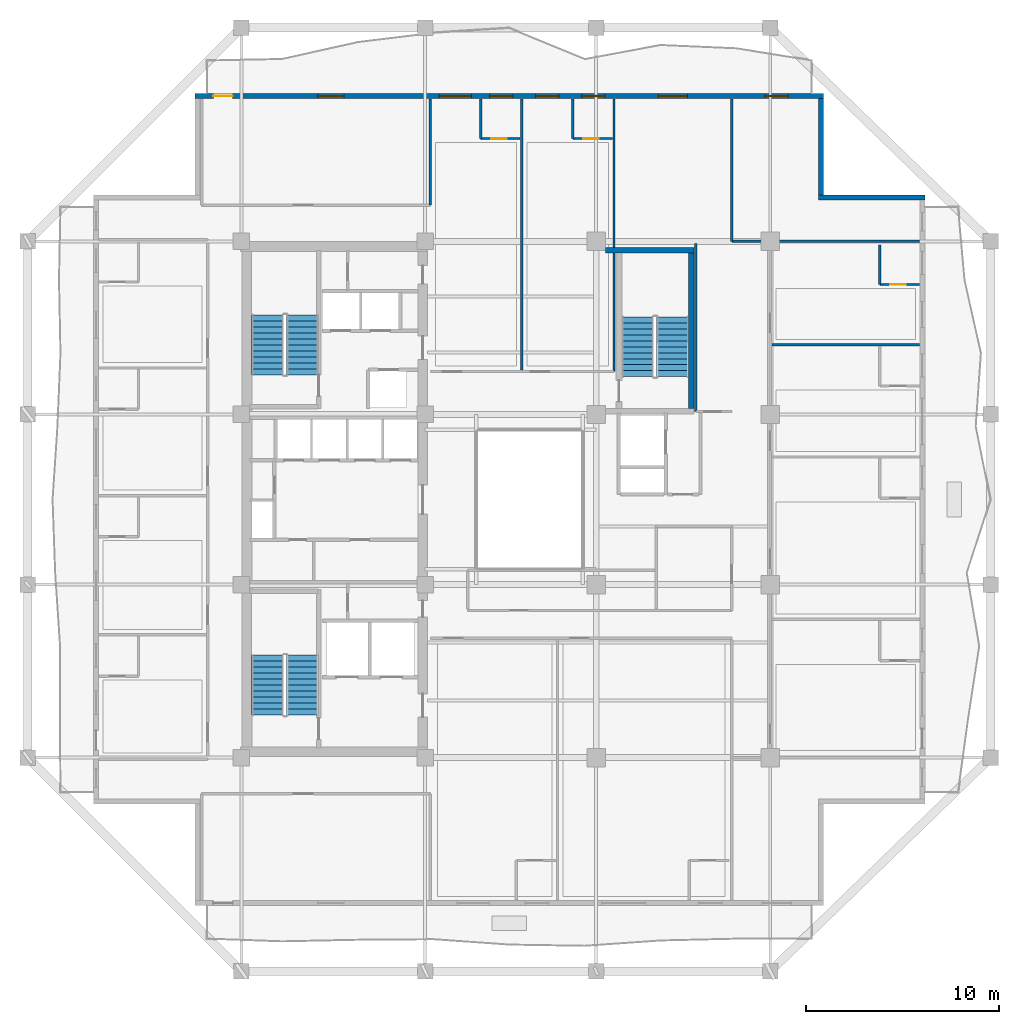
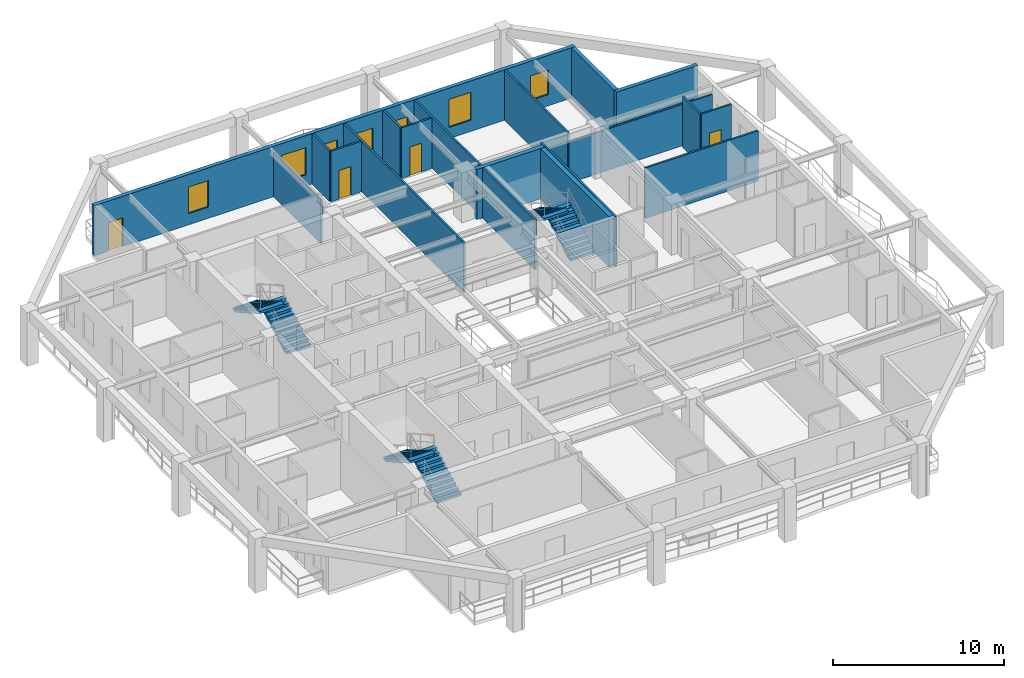
# One storey, part 7 of 13: 18 walls, 7 windows, 6 stair flights, 4 doors, 11 openings, 3 elements without a shape of their own.
"""IFC4 building model written with IfcOpenShell, lengths in metres."""

import ifcopenshell
import ifcopenshell.guid

model = None  # the IFC model being written
_history = None  # IfcOwnerHistory: only IFC2X3 demands one
_inside = {}  # id of a spatial element -> (the spatial element, [elements in it])
_under = {}  # id of a project, library or spatial element -> (it, [spatial elements below it])
_declared = {}  # id of a project -> (the project, [libraries it declares])
_typed = {}  # id of a type object -> (the type object, [elements of that type])
_made_of = {}  # id of a material, layer set ... -> (it, [elements and type objects made of it])


def new_model(schema):
    """Start an empty IFC model of exactly this schema.

    Asked for "IFC4X3", IfcOpenShell would pick the latest addendum, in which some entities
    have other attributes; the version numbers below select the first issue.
    IFC2X3 requires an IfcOwnerHistory on every rooted entity: one is made here for all.
    """
    global model, _history
    if schema == "IFC4X3":
        model = ifcopenshell.file(schema_version=(4, 3, 0, 0))
    else:
        model = ifcopenshell.file(schema=schema)
    _inside.clear()
    _under.clear()
    _declared.clear()
    _typed.clear()
    _made_of.clear()
    _history = None
    if model.schema == "IFC2X3":
        org = make("IfcOrganization", Name="unknown")
        user = make(
            "IfcPersonAndOrganization",
            ThePerson=make("IfcPerson", FamilyName="unknown"),
            TheOrganization=org,
        )
        app = make(
            "IfcApplication",
            ApplicationDeveloper=org,
            Version="unknown",
            ApplicationFullName="unknown",
            ApplicationIdentifier="unknown",
        )
        _history = make(
            "IfcOwnerHistory",
            OwningUser=user,
            OwningApplication=app,
            ChangeAction="ADDED",
            CreationDate=0,
        )
    return model


def make(cls, **values):
    """One entity of the class cls with the attributes given. An attribute that is None is left unset."""
    return model.create_entity(
        cls, **{name: value for name, value in values.items() if value is not None}
    )


def rooted(cls, **values):
    """An entity with a GlobalId (a new one), such as an element, a storey or a relation."""
    return make(cls, GlobalId=ifcopenshell.guid.new(), OwnerHistory=_history, **values)


def si_unit(unit_type, name, prefix=None):
    """IfcSIUnit, for example si_unit("LENGTHUNIT", "METRE", prefix="MILLI")."""
    return make("IfcSIUnit", UnitType=unit_type, Prefix=prefix, Name=name)


def assignment(units):
    """IfcUnitAssignment: the units of a project."""
    return None if units is None else make("IfcUnitAssignment", Units=units)


def point(xyz):
    """IfcCartesianPoint."""
    return None if xyz is None else make("IfcCartesianPoint", Coordinates=xyz)


def direction(xyz):
    """IfcDirection."""
    return None if xyz is None else make("IfcDirection", DirectionRatios=xyz)


def frame(location, z_axis=None, x_axis=None):
    """IfcAxis2Placement3D, a coordinate frame: its origin and axes. An axis left out is left unset."""
    return make(
        "IfcAxis2Placement3D",
        Location=point(location),
        Axis=direction(z_axis),
        RefDirection=direction(x_axis),
    )


def frame_2d(location, x_axis=None):
    """IfcAxis2Placement2D, a coordinate frame in the plane: its origin and x axis."""
    return make(
        "IfcAxis2Placement2D", Location=point(location), RefDirection=direction(x_axis)
    )


def origin():
    """The frame at (0, 0, 0) with its axes left unset."""
    return frame((0.0, 0.0, 0.0))


def place(relative_to, where):
    """IfcLocalPlacement: puts the frame where relative to a parent placement (None: the world)."""
    return make(
        "IfcLocalPlacement", PlacementRelTo=relative_to, RelativePlacement=where
    )


def context(
    kind, dimensions, precision=None, world=None, true_north=None, identifier=None
):
    """IfcGeometricRepresentationContext, for example the 3D "Model" context."""
    return make(
        "IfcGeometricRepresentationContext",
        ContextIdentifier=identifier,
        ContextType=kind,
        CoordinateSpaceDimension=dimensions,
        Precision=precision,
        WorldCoordinateSystem=world,
        TrueNorth=true_north,
    )


def subcontext(parent, identifier, kind, view, scale=None):
    """IfcGeometricRepresentationSubContext, for example "Body" below "Model"."""
    return make(
        "IfcGeometricRepresentationSubContext",
        ContextIdentifier=identifier,
        ContextType=kind,
        ParentContext=parent,
        TargetScale=scale,
        TargetView=view,
    )


def project(units=None, contexts=None):
    """IfcProject with its units and contexts."""
    return rooted(
        "IfcProject",
        Name="project",
        RepresentationContexts=contexts,
        UnitsInContext=assignment(units),
    )


def spatial(cls, under=None, at=None, **own):
    """A site, building, storey or space (cls), placed at a placement, below another one or the project."""
    s = rooted(cls, ObjectPlacement=at, **own)
    if under is not None:
        _under.setdefault(under.id(), (under, []))[1].append(s)
    return s


def polyline(points):
    """IfcPolyline through the points."""
    return make("IfcPolyline", Points=[point(p) for p in points])


def profile(cls, at=None, kind="AREA", **sizes):
    """A parametric profile (cls). Its sizes go by their IFC names, for example OverallWidth=200.0."""
    return make(cls, ProfileType=kind, Position=at, **sizes)


def rectangle(**sizes):
    """IfcRectangleProfileDef."""
    return profile("IfcRectangleProfileDef", **sizes)


def outline(outer, holes=None, kind="AREA"):
    """IfcArbitraryClosedProfileDef: a profile drawn as a closed curve; with holes, ...WithVoids."""
    if holes is None:
        return make("IfcArbitraryClosedProfileDef", ProfileType=kind, OuterCurve=outer)
    return make(
        "IfcArbitraryProfileDefWithVoids",
        ProfileType=kind,
        OuterCurve=outer,
        InnerCurves=holes,
    )


def extrude(swept, where, along, depth):
    """IfcExtrudedAreaSolid: the profile swept, set in the frame where, extruded along a direction by depth."""
    return make(
        "IfcExtrudedAreaSolid",
        SweptArea=swept,
        Position=where,
        ExtrudedDirection=direction(along),
        Depth=depth,
    )


def shape(context_of_items, identifier, shape_type, items):
    """IfcShapeRepresentation: the items that make up one representation, for example the "Body"."""
    return make(
        "IfcShapeRepresentation",
        ContextOfItems=context_of_items,
        RepresentationIdentifier=identifier,
        RepresentationType=shape_type,
        Items=items,
    )


def material(Name=None, Category=None):
    """IfcMaterial."""
    return make("IfcMaterial", Name=Name, Category=Category)


def layer(
    of_material, thickness, ventilated=None, Name=None, Category=None, Priority=None
):
    """IfcMaterialLayer: one layer of a wall or slab, of a material (None: an air gap)."""
    return make(
        "IfcMaterialLayer",
        Material=of_material,
        LayerThickness=thickness,
        IsVentilated=ventilated,
        Name=Name,
        Category=Category,
        Priority=Priority,
    )


def layer_set(layers, Name=None):
    """IfcMaterialLayerSet."""
    return make("IfcMaterialLayerSet", MaterialLayers=layers, LayerSetName=Name)


def made_of(thing, what):
    """Note that an element or type object is made of a material, layer set ...; save() writes the relation."""
    if what is not None:
        _made_of.setdefault(what.id(), (what, []))[1].append(thing)
    return thing


def type_object(cls, material=None, **own):
    """A type object (cls), such as IfcWallType, which elements share."""
    return made_of(rooted(cls, **own), material)


def element(
    cls,
    number,
    at=None,
    inside=None,
    cuts=None,
    type_object=None,
    material=None,
    context=None,
    identifier="Body",
    shape_type=None,
    held_by="IfcProductDefinitionShape",
    body=None,
    shapes=None,
    **own,
):
    """One element of the class cls, such as IfcWall. Its Tag is "e" and its number.

    at: its placement. inside: the storey or other place that contains it. cuts: it is an
    opening in that element (IfcRelVoidsElement). A single representation is given by context,
    identifier, shape_type and body (its items); several are given by shapes. held_by: the class
    of the entity that holds the representations. save() writes the other relations.
    """
    e = rooted(cls, Tag="e%d" % number, ObjectPlacement=at, **own)
    if body is not None:
        shapes = [shape(context, identifier, shape_type, body)]
    if shapes is not None:
        e.Representation = make(held_by, Representations=shapes)
    if inside is not None:
        _inside.setdefault(inside.id(), (inside, []))[1].append(e)
    if cuts is not None:
        rooted(
            "IfcRelVoidsElement", RelatingBuildingElement=cuts, RelatedOpeningElement=e
        )
    if type_object is not None:
        _typed.setdefault(type_object.id(), (type_object, []))[1].append(e)
    return made_of(e, material)


def fill(opening, filler):
    """IfcRelFillsElement: the door or window that sits in an opening."""
    return rooted(
        "IfcRelFillsElement",
        RelatingOpeningElement=opening,
        RelatedBuildingElement=filler,
    )


def aggregate(whole, parts):
    """IfcRelAggregates: a whole, such as a stair, and the parts it consists of."""
    return rooted("IfcRelAggregates", RelatingObject=whole, RelatedObjects=parts)


def save(model, path):
    """Write the relations noted so far, then the file.

    IfcRelAggregates (storeys below a building ...), IfcRelContainedInSpatialStructure (elements
    in a storey), IfcRelDefinesByType, IfcRelAssociatesMaterial and IfcRelDeclares: one each for
    every whole, place, type object, material and project.
    """
    for whole, parts in _under.values():
        aggregate(whole, parts)
    for where, things in _inside.values():
        rooted(
            "IfcRelContainedInSpatialStructure",
            RelatedElements=things,
            RelatingStructure=where,
        )
    for kind, things in _typed.values():
        rooted("IfcRelDefinesByType", RelatedObjects=things, RelatingType=kind)
    for what, things in _made_of.values():
        rooted("IfcRelAssociatesMaterial", RelatedObjects=things, RelatingMaterial=what)
    for by, libraries in _declared.values():
        rooted("IfcRelDeclares", RelatingContext=by, RelatedDefinitions=libraries)
    model.write(path)


model = new_model("IFC4")

# Units and contexts
model_context = context("Model", 3, precision=1e-05, world=origin(), true_north=direction((0.0, 1.0)))
body_context = subcontext(model_context, "Body", "Model", "MODEL_VIEW")
ifc_project = project(units=[si_unit("LENGTHUNIT", "METRE"), si_unit("AREAUNIT", "SQUARE_METRE"), si_unit("VOLUMEUNIT", "CUBIC_METRE"), si_unit("PLANEANGLEUNIT", "RADIAN"), si_unit("MASSUNIT", "GRAM", prefix="KILO")], contexts=[model_context])

# Site, building, storey
site_placement = place(None, origin())
site = spatial("IfcSite", under=ifc_project, at=site_placement, CompositionType="ELEMENT")
building_placement = place(site_placement, origin())
building = spatial("IfcBuilding", under=site, at=building_placement, Name="Kundavana Baori Tower", CompositionType="ELEMENT")
storey_placement = place(building_placement, frame((0.0, 0.0, 169.449951171875)))
storey = spatial("IfcBuildingStorey", under=building, at=storey_placement, Name="L41", CompositionType="ELEMENT", Elevation=169.449951171875)

# Walls
ifc_material_1 = material(Name="Kiln-Fired Terracotta Brick-Slip Masonry on Concrete C40/50", Category="masonry")
ifc_layer_1 = layer(ifc_material_1, 0.260009765625, Name="WL-EXT-BRK-260")
ifc_layer_set_1 = layer_set([ifc_layer_1], Name="Kiln-Fired Terracotta Brick-Slip Masonry on Concrete C40/50")
wall_type_1 = type_object("IfcWallType", Name="WL-EXT-BRK-260", PredefinedType="SOLIDWALL", material=ifc_layer_set_1)
wall_1_placement = place(storey_placement, frame((50.800048828125, 44.219970703125, 0.0), z_axis=(0.0, 0.0, 1.0), x_axis=(-1.0, 0.0, 0.0)))
element("IfcWall", 1, at=wall_1_placement, inside=storey, type_object=wall_type_1, Name="L41 Exterior Insulated Facade Wall 05", PredefinedType="SOLIDWALL", context=body_context, shape_type="SweptSolid", body=[
    extrude(rectangle(XDim=5.510009765625, YDim=0.260009765625, at=frame_2d((2.7548828125, 0.0))), origin(), (0.0, 0.0, 1.0), 3.60009765625),
])
wall_2_placement = place(storey_placement, frame((45.419921875, 44.35009765625, 0.0), z_axis=(0.0, 0.0, 1.0), x_axis=(0.0, 1.0, 0.0)))
element("IfcWall", 2, at=wall_2_placement, inside=storey, type_object=wall_type_1, Name="L41 Exterior Insulated Facade Wall 06", PredefinedType="SOLIDWALL", context=body_context, shape_type="SweptSolid", body=[
    extrude(rectangle(XDim=4.989990234375, YDim=0.260009765625, at=frame_2d((2.4951171875, 0.0))), origin(), (0.0, 0.0, 1.0), 3.60009765625),
])

# Wall, openings, door, windows
wall_3_placement = place(storey_placement, frame((45.550048828125, 49.469970703125, 0.0), z_axis=(0.0, 0.0, 1.0), x_axis=(-1.0, 0.0, 0.0)))
wall_3 = element("IfcWall", 3, at=wall_3_placement, inside=storey, type_object=wall_type_1, Name="L41 Exterior Insulated Facade Wall 07", PredefinedType="SOLIDWALL", context=body_context, shape_type="SweptSolid", body=[
    extrude(rectangle(XDim=32.5, YDim=0.260009765625, at=frame_2d((16.25, 0.0))), origin(), (0.0, 0.0, 1.0), 3.60009765625),
])
opening_1_placement = place(wall_3_placement, frame((30.550048828125, 0.0, 0.0)))
opening_1 = element("IfcOpeningElement", 4, at=opening_1_placement, cuts=wall_3, Name="Opening BD-1", PredefinedType="OPENING", context=body_context, shape_type="SweptSolid", body=[
    extrude(rectangle(XDim=1.0, YDim=2.050048828125, at=frame_2d((0.5, 1.02490234375))), frame((0.0, 0.14013671875, 0.0), z_axis=(0.0, -1.0, 0.0), x_axis=(1.0, 0.0, 0.0)), (0.0, 0.0, 1.0), 0.280029296875),
])
opening_2_placement = place(wall_3_placement, frame((24.794921875, 0.0, 0.800048828125)))
opening_2 = element("IfcOpeningElement", 5, at=opening_2_placement, cuts=wall_3, Name="Opening W-07", PredefinedType="OPENING", context=body_context, shape_type="SweptSolid", body=[
    extrude(rectangle(XDim=1.35009765625, YDim=1.89990234375, at=frame_2d((0.675048828125, 0.949951171875))), frame((0.0, 0.14013671875, 0.0), z_axis=(0.0, -1.0, 0.0), x_axis=(1.0, 0.0, 0.0)), (0.0, 0.0, 1.0), 0.280029296875),
])
opening_3_placement = place(wall_3_placement, frame((18.205078125, 0.0, 0.800048828125)))
opening_3 = element("IfcOpeningElement", 6, at=opening_3_placement, cuts=wall_3, Name="Opening W-08", PredefinedType="OPENING", context=body_context, shape_type="SweptSolid", body=[
    extrude(rectangle(XDim=1.64990234375, YDim=1.949951171875, at=frame_2d((0.824951171875, 0.97509765625))), frame((0.0, 0.14013671875, 0.0), z_axis=(0.0, -1.0, 0.0), x_axis=(1.0, 0.0, 0.0)), (0.0, 0.0, 1.0), 0.280029296875),
])
opening_4_placement = place(wall_3_placement, frame((16.06494140625, 0.0, 0.800048828125)))
opening_4 = element("IfcOpeningElement", 7, at=opening_4_placement, cuts=wall_3, Name="Opening W-03", PredefinedType="OPENING", context=body_context, shape_type="SweptSolid", body=[
    extrude(rectangle(XDim=1.199951171875, YDim=1.75, at=frame_2d((0.60009765625, 0.875))), frame((0.0, 0.14013671875, 0.0), z_axis=(0.0, -1.0, 0.0), x_axis=(1.0, 0.0, 0.0)), (0.0, 0.0, 1.0), 0.280029296875),
])
opening_5_placement = place(wall_3_placement, frame((13.679931640625, 0.0, 0.800048828125)))
opening_5 = element("IfcOpeningElement", 8, at=opening_5_placement, cuts=wall_3, Name="Opening W-03", PredefinedType="OPENING", context=body_context, shape_type="SweptSolid", body=[
    extrude(rectangle(XDim=1.199951171875, YDim=1.75, at=frame_2d((0.60009765625, 0.875))), frame((0.0, 0.14013671875, 0.0), z_axis=(0.0, -1.0, 0.0), x_axis=(1.0, 0.0, 0.0)), (0.0, 0.0, 1.0), 0.280029296875),
])
opening_6_placement = place(wall_3_placement, frame((11.294921875, 0.0, 0.800048828125)))
opening_6 = element("IfcOpeningElement", 9, at=opening_6_placement, cuts=wall_3, Name="Opening W-03", PredefinedType="OPENING", context=body_context, shape_type="SweptSolid", body=[
    extrude(rectangle(XDim=1.199951171875, YDim=1.75, at=frame_2d((0.60009765625, 0.875))), frame((0.0, 0.14013671875, 0.0), z_axis=(0.0, -1.0, 0.0), x_axis=(1.0, 0.0, 0.0)), (0.0, 0.0, 1.0), 0.280029296875),
])
opening_7_placement = place(wall_3_placement, frame((7.030029296875, 0.0, 0.800048828125)))
opening_7 = element("IfcOpeningElement", 10, at=opening_7_placement, cuts=wall_3, Name="Opening W-02", PredefinedType="OPENING", context=body_context, shape_type="SweptSolid", body=[
    extrude(rectangle(XDim=1.5, YDim=2.0, at=frame_2d((0.75, 1.0))), frame((0.0, 0.14013671875, 0.0), z_axis=(0.0, -1.0, 0.0), x_axis=(1.0, 0.0, 0.0)), (0.0, 0.0, 1.0), 0.280029296875),
])
opening_8_placement = place(wall_3_placement, frame((1.820068359375, 0.0, 0.800048828125)))
opening_8 = element("IfcOpeningElement", 11, at=opening_8_placement, cuts=wall_3, Name="Opening W-03", PredefinedType="OPENING", context=body_context, shape_type="SweptSolid", body=[
    extrude(rectangle(XDim=1.199951171875, YDim=1.75, at=frame_2d((0.60009765625, 0.875))), frame((0.0, 0.14013671875, 0.0), z_axis=(0.0, -1.0, 0.0), x_axis=(1.0, 0.0, 0.0)), (0.0, 0.0, 1.0), 0.280029296875),
])
ifc_material_2 = material(Name="Architectural Patinated Bronze Metalwork")
door_type_1 = type_object("IfcDoorType", Name="DR-EXT-LOG-1000", OperationType="NOTDEFINED", PredefinedType="DOOR", material=ifc_material_2)
door_1_placement = place(opening_1_placement, frame((1.0, 0.0, 0.0), z_axis=(0.0, 0.0, 1.0), x_axis=(-1.0, 0.0, 0.0)))
door_1 = element("IfcDoor", 12, at=door_1_placement, inside=storey, type_object=door_type_1, Name="L41 Loggia Balcony Access Door N", OperationType="SINGLE_SWING_LEFT", OverallHeight=2.050048828125, OverallWidth=1.0, PredefinedType="DOOR", context=body_context, shape_type="SweptSolid", body=[
    extrude(rectangle(XDim=1.0, YDim=2.050048828125, at=frame_2d((0.5, 1.02490234375))), frame((0.0, 0.02490234375, 0.0), z_axis=(0.0, -1.0, 0.0), x_axis=(1.0, 0.0, 0.0)), (0.0, 0.0, 1.0), 0.050048828125),
])
fill(opening_1, door_1)
ifc_material_3 = material(Name="Double-Glazed Solar-Control Low-E Insulated Glass", Category="glass")
window_type_1 = type_object("IfcWindowType", Name="WIN-LOG-1200x1750", PartitioningType="SINGLE_PANEL", PredefinedType="WINDOW", material=ifc_material_3)
window_1_placement = place(opening_4_placement, origin())
window_1 = element("IfcWindow", 13, at=window_1_placement, inside=storey, type_object=window_type_1, Name="L41 Recessed Loggia Window N-3", OverallHeight=1.75, OverallWidth=1.199951171875, PartitioningType="SINGLE_PANEL", PredefinedType="WINDOW", context=body_context, shape_type="SweptSolid", body=[
    extrude(rectangle(XDim=1.199951171875, YDim=1.75, at=frame_2d((0.60009765625, 0.875))), frame((0.0, 0.030029296875, 0.0), z_axis=(0.0, -1.0, 0.0), x_axis=(1.0, 0.0, 0.0)), (0.0, 0.0, 1.0), 0.06005859375),
])
fill(opening_4, window_1)
window_2_placement = place(opening_5_placement, origin())
window_2 = element("IfcWindow", 14, at=window_2_placement, inside=storey, type_object=window_type_1, Name="L41 Recessed Loggia Window N-4", OverallHeight=1.75, OverallWidth=1.199951171875, PartitioningType="SINGLE_PANEL", PredefinedType="WINDOW", context=body_context, shape_type="SweptSolid", body=[
    extrude(rectangle(XDim=1.199951171875, YDim=1.75, at=frame_2d((0.60009765625, 0.875))), frame((0.0, 0.030029296875, 0.0), z_axis=(0.0, -1.0, 0.0), x_axis=(1.0, 0.0, 0.0)), (0.0, 0.0, 1.0), 0.06005859375),
])
fill(opening_5, window_2)
window_3_placement = place(opening_6_placement, origin())
window_3 = element("IfcWindow", 15, at=window_3_placement, inside=storey, type_object=window_type_1, Name="L41 Recessed Loggia Window N-5", OverallHeight=1.75, OverallWidth=1.199951171875, PartitioningType="SINGLE_PANEL", PredefinedType="WINDOW", context=body_context, shape_type="SweptSolid", body=[
    extrude(rectangle(XDim=1.199951171875, YDim=1.75, at=frame_2d((0.60009765625, 0.875))), frame((0.0, 0.030029296875, 0.0), z_axis=(0.0, -1.0, 0.0), x_axis=(1.0, 0.0, 0.0)), (0.0, 0.0, 1.0), 0.06005859375),
])
fill(opening_6, window_3)
window_4_placement = place(opening_8_placement, origin())
window_4 = element("IfcWindow", 16, at=window_4_placement, inside=storey, type_object=window_type_1, Name="L41 Recessed Loggia Window N-7", OverallHeight=1.75, OverallWidth=1.199951171875, PartitioningType="SINGLE_PANEL", PredefinedType="WINDOW", context=body_context, shape_type="SweptSolid", body=[
    extrude(rectangle(XDim=1.199951171875, YDim=1.75, at=frame_2d((0.60009765625, 0.875))), frame((0.0, 0.030029296875, 0.0), z_axis=(0.0, -1.0, 0.0), x_axis=(1.0, 0.0, 0.0)), (0.0, 0.0, 1.0), 0.06005859375),
])
fill(opening_8, window_4)
ifc_material_4 = material(Name="Double-Glazed Solar-Control Low-E Insulated Glass", Category="glass")
window_type_2 = type_object("IfcWindowType", Name="WIN-LOG-1350x1900", PartitioningType="SINGLE_PANEL", PredefinedType="WINDOW", material=ifc_material_4)
window_5_placement = place(opening_2_placement, origin())
window_5 = element("IfcWindow", 17, at=window_5_placement, inside=storey, type_object=window_type_2, Name="L41 Recessed Loggia Window N-1", OverallHeight=1.89990234375, OverallWidth=1.35009765625, PartitioningType="SINGLE_PANEL", PredefinedType="WINDOW", context=body_context, shape_type="SweptSolid", body=[
    extrude(rectangle(XDim=1.35009765625, YDim=1.89990234375, at=frame_2d((0.675048828125, 0.949951171875))), frame((0.0, 0.030029296875, 0.0), z_axis=(0.0, -1.0, 0.0), x_axis=(1.0, 0.0, 0.0)), (0.0, 0.0, 1.0), 0.06005859375),
])
fill(opening_2, window_5)
ifc_material_5 = material(Name="Double-Glazed Solar-Control Low-E Insulated Glass", Category="glass")
window_type_3 = type_object("IfcWindowType", Name="WIN-LOG-1500x2000", PartitioningType="SINGLE_PANEL", PredefinedType="WINDOW", material=ifc_material_5)
window_6_placement = place(opening_7_placement, origin())
window_6 = element("IfcWindow", 18, at=window_6_placement, inside=storey, type_object=window_type_3, Name="L41 Recessed Loggia Window N-6", OverallHeight=2.0, OverallWidth=1.5, PartitioningType="SINGLE_PANEL", PredefinedType="WINDOW", context=body_context, shape_type="SweptSolid", body=[
    extrude(rectangle(XDim=1.5, YDim=2.0, at=frame_2d((0.75, 1.0))), frame((0.0, 0.030029296875, 0.0), z_axis=(0.0, -1.0, 0.0), x_axis=(1.0, 0.0, 0.0)), (0.0, 0.0, 1.0), 0.06005859375),
])
fill(opening_7, window_6)
ifc_material_6 = material(Name="Double-Glazed Solar-Control Low-E Insulated Glass", Category="glass")
window_type_4 = type_object("IfcWindowType", Name="WIN-LOG-1650x1950", PartitioningType="SINGLE_PANEL", PredefinedType="WINDOW", material=ifc_material_6)
window_7_placement = place(opening_3_placement, origin())
window_7 = element("IfcWindow", 19, at=window_7_placement, inside=storey, type_object=window_type_4, Name="L41 Recessed Loggia Window N-2", OverallHeight=1.949951171875, OverallWidth=1.64990234375, PartitioningType="SINGLE_PANEL", PredefinedType="WINDOW", context=body_context, shape_type="SweptSolid", body=[
    extrude(rectangle(XDim=1.64990234375, YDim=1.949951171875, at=frame_2d((0.824951171875, 0.97509765625))), frame((0.0, 0.030029296875, 0.0), z_axis=(0.0, -1.0, 0.0), x_axis=(1.0, 0.0, 0.0)), (0.0, 0.0, 1.0), 0.06005859375),
])
fill(opening_3, window_7)

# Walls
ifc_material_7 = material(Name="Concrete C50/60", Category="concrete")
ifc_layer_2 = layer(ifc_material_7, 0.300048828125, Name="WL-ST3-300")
ifc_layer_set_2 = layer_set([ifc_layer_2], Name="Concrete C50/60")
wall_type_2 = type_object("IfcWallType", Name="WL-ST3-300", PredefinedType="SHEAR", material=ifc_layer_set_2)
wall_4_placement = place(storey_placement, frame((34.27490234375, 41.489990234375, 0.0), z_axis=(0.0, 0.0, 1.0), x_axis=(1.0, 0.0, 0.0)))
element("IfcWall", 20, at=wall_4_placement, inside=storey, type_object=wall_type_2, Name="L41 Stair ST3 North Shear Wall", PredefinedType="SHEAR", context=body_context, shape_type="SweptSolid", body=[
    extrude(rectangle(XDim=4.59521484375, YDim=0.300048828125, at=frame_2d((2.297607421875, 0.0))), origin(), (0.0, 0.0, 1.0), 3.60009765625),
])
wall_5_placement = place(storey_placement, frame((38.719970703125, 33.31005859375, 0.0), z_axis=(0.0, 0.0, 1.0), x_axis=(0.0, 1.0, 0.0)))
element("IfcWall", 21, at=wall_5_placement, inside=storey, type_object=wall_type_2, Name="L41 Stair ST3 East Shear Wall", PredefinedType="SHEAR", context=body_context, shape_type="SweptSolid", body=[
    extrude(rectangle(XDim=8.030029296875, YDim=0.300048828125, at=frame_2d((4.01513671875, 0.0))), origin(), (0.0, 0.0, 1.0), 3.60009765625),
])
ifc_material_8 = material(Name="Autoclaved Aerated Concrete Blockwork Masonry", Category="masonry")
ifc_layer_3 = layer(ifc_material_8, 0.125, Name="WL-WET-120")
ifc_layer_set_3 = layer_set([ifc_layer_3], Name="Autoclaved Aerated Concrete Blockwork Masonry")
wall_type_3 = type_object("IfcWallType", Name="WL-WET-120", PredefinedType="PLUMBINGWALL", material=ifc_layer_set_3)
wall_6_placement = place(storey_placement, frame((40.820068359375, 41.949951171875, 0.0), z_axis=(0.0, 0.0, 1.0), x_axis=(1.0, 0.0, 0.0)))
element("IfcWall", 22, at=wall_6_placement, inside=storey, type_object=wall_type_3, Name="WL-L41-HEN", PredefinedType="PLUMBINGWALL", context=body_context, shape_type="SweptSolid", body=[
    extrude(rectangle(XDim=9.699951171875, YDim=0.125, at=frame_2d((4.85009765625, 0.0))), origin(), (0.0, 0.0, 1.0), 2.949951171875),
])
wall_7_placement = place(storey_placement, frame((25.219970703125, 43.820068359375, 0.0), z_axis=(0.0, 0.0, 1.0), x_axis=(0.0, 1.0, 0.0)))
element("IfcWall", 23, at=wall_7_placement, inside=storey, type_object=wall_type_3, Name="WL-L41-HNCE", PredefinedType="PLUMBINGWALL", context=body_context, shape_type="SweptSolid", body=[
    extrude(rectangle(XDim=5.5, YDim=0.125, at=frame_2d((2.75, 0.0))), origin(), (0.0, 0.0, 1.0), 3.150146484375),
])
wall_8_placement = place(storey_placement, frame((42.8798828125, 36.60009765625, 0.0), z_axis=(0.0, 0.0, 1.0), x_axis=(1.0, 0.0, 0.0)))
element("IfcWall", 24, at=wall_8_placement, inside=storey, type_object=wall_type_3, Name="WL-L41-HED3", PredefinedType="PLUMBINGWALL", context=body_context, shape_type="SweptSolid", body=[
    extrude(rectangle(XDim=7.64013671875, YDim=0.125, at=frame_2d((3.820068359375, 0.0))), origin(), (0.0, 0.0, 1.0), 3.60009765625),
])
wall_9_placement = place(storey_placement, frame((48.469970703125, 39.719970703125, 0.0), z_axis=(0.0, 0.0, 1.0), x_axis=(0.0, 1.0, 0.0)))
element("IfcWall", 25, at=wall_9_placement, inside=storey, type_object=wall_type_3, Name="WL-L41-HK-E4-BW", PredefinedType="PLUMBINGWALL", context=body_context, shape_type="SweptSolid", body=[
    extrude(rectangle(XDim=2.050048828125, YDim=0.125, at=frame_2d((1.02490234375, 0.0))), origin(), (0.0, 0.0, 1.0), 3.60009765625),
])

# Wall, opening, door
wall_10_placement = place(storey_placement, frame((48.469970703125, 39.719970703125, 0.0), z_axis=(0.0, 0.0, 1.0), x_axis=(1.0, 0.0, 0.0)))
wall_10 = element("IfcWall", 26, at=wall_10_placement, inside=storey, type_object=wall_type_3, Name="WL-L41-HK-E4-BS", PredefinedType="PLUMBINGWALL", context=body_context, shape_type="SweptSolid", body=[
    extrude(rectangle(XDim=2.050048828125, YDim=0.125, at=frame_2d((1.02490234375, 0.0))), origin(), (0.0, 0.0, 1.0), 3.60009765625),
])
opening_9_placement = place(wall_10_placement, frame((0.550048828125, 0.0, 0.0)))
opening_9 = element("IfcOpeningElement", 27, at=opening_9_placement, cuts=wall_10, Name="Opening WD-080", PredefinedType="OPENING", context=body_context, shape_type="SweptSolid", body=[
    extrude(rectangle(XDim=0.800048828125, YDim=2.050048828125, at=frame_2d((0.39990234375, 1.02490234375))), frame((0.0, 0.072509765625, 0.0), z_axis=(0.0, -1.0, 0.0), x_axis=(1.0, 0.0, 0.0)), (0.0, 0.0, 1.0), 0.14501953125),
])
ifc_material_9 = material(Name="Engineered Teak Solid-Core Timber Veneer", Category="wood")
door_type_2 = type_object("IfcDoorType", Name="DR-WET-800", OperationType="NOTDEFINED", PredefinedType="DOOR", material=ifc_material_9)
door_2_placement = place(opening_9_placement, frame((0.800048828125, 0.0, 0.0), z_axis=(0.0, 0.0, 1.0), x_axis=(-1.0, 0.0, 0.0)))
door_2 = element("IfcDoor", 28, at=door_2_placement, inside=storey, type_object=door_type_2, Name="DR-L41-HK-E4-ENS", OperationType="SINGLE_SWING_LEFT", OverallHeight=2.050048828125, OverallWidth=0.800048828125, PredefinedType="DOOR", context=body_context, shape_type="SweptSolid", body=[
    extrude(rectangle(XDim=0.800048828125, YDim=2.050048828125, at=frame_2d((0.39990234375, 1.02490234375))), frame((0.0, 0.02490234375, 0.0), z_axis=(0.0, -1.0, 0.0), x_axis=(1.0, 0.0, 0.0)), (0.0, 0.0, 1.0), 0.050048828125),
])
fill(opening_9, door_2)

# Walls
wall_11_placement = place(storey_placement, frame((34.719970703125, 35.219970703125, 0.0), z_axis=(0.0, 0.0, 1.0), x_axis=(0.0, 1.0, 0.0)))
element("IfcWall", 29, at=wall_11_placement, inside=storey, type_object=wall_type_3, Name="WL-L41-HNEND", PredefinedType="PLUMBINGWALL", context=body_context, shape_type="SweptSolid", body=[
    extrude(rectangle(XDim=14.10009765625, YDim=0.125, at=frame_2d((7.050048828125, 0.0))), origin(), (0.0, 0.0, 1.0), 3.60009765625),
])
wall_12_placement = place(storey_placement, frame((29.949951171875, 35.300048828125, 0.0), z_axis=(0.0, 0.0, 1.0), x_axis=(0.0, 1.0, 0.0)))
element("IfcWall", 30, at=wall_12_placement, inside=storey, type_object=wall_type_3, Name="WL-L41-HND1", PredefinedType="PLUMBINGWALL", context=body_context, shape_type="SweptSolid", body=[
    extrude(rectangle(XDim=14.02001953125, YDim=0.125, at=frame_2d((7.010009765625, 0.0))), origin(), (0.0, 0.0, 1.0), 3.60009765625),
])
wall_13_placement = place(storey_placement, frame((27.820068359375, 47.27001953125, 0.0), z_axis=(0.0, 0.0, 1.0), x_axis=(0.0, 1.0, 0.0)))
element("IfcWall", 31, at=wall_13_placement, inside=storey, type_object=wall_type_3, Name="WL-L41-HK-N1-BW", PredefinedType="PLUMBINGWALL", context=body_context, shape_type="SweptSolid", body=[
    extrude(rectangle(XDim=2.050048828125, YDim=0.125, at=frame_2d((1.02490234375, 0.0))), origin(), (0.0, 0.0, 1.0), 3.60009765625),
])

# Wall, opening, door
wall_14_placement = place(storey_placement, frame((27.820068359375, 47.27001953125, 0.0), z_axis=(0.0, 0.0, 1.0), x_axis=(1.0, 0.0, 0.0)))
wall_14 = element("IfcWall", 32, at=wall_14_placement, inside=storey, type_object=wall_type_3, Name="WL-L41-HK-N1-BS", PredefinedType="PLUMBINGWALL", context=body_context, shape_type="SweptSolid", body=[
    extrude(rectangle(XDim=2.050048828125, YDim=0.125, at=frame_2d((1.02490234375, 0.0))), origin(), (0.0, 0.0, 1.0), 3.60009765625),
])
opening_10_placement = place(wall_14_placement, frame((0.550048828125, 0.0, 0.0)))
opening_10 = element("IfcOpeningElement", 33, at=opening_10_placement, cuts=wall_14, Name="Opening WD-080", PredefinedType="OPENING", context=body_context, shape_type="SweptSolid", body=[
    extrude(rectangle(XDim=0.800048828125, YDim=2.050048828125, at=frame_2d((0.39990234375, 1.02490234375))), frame((0.0, 0.072509765625, 0.0), z_axis=(0.0, -1.0, 0.0), x_axis=(1.0, 0.0, 0.0)), (0.0, 0.0, 1.0), 0.14501953125),
])
door_3_placement = place(opening_10_placement, frame((0.800048828125, 0.0, 0.0), z_axis=(0.0, 0.0, 1.0), x_axis=(-1.0, 0.0, 0.0)))
door_3 = element("IfcDoor", 34, at=door_3_placement, inside=storey, type_object=door_type_2, Name="DR-L41-HK-N1-ENS", OperationType="SINGLE_SWING_LEFT", OverallHeight=2.050048828125, OverallWidth=0.800048828125, PredefinedType="DOOR", context=body_context, shape_type="SweptSolid", body=[
    extrude(rectangle(XDim=0.800048828125, YDim=2.050048828125, at=frame_2d((0.39990234375, 1.02490234375))), frame((0.0, 0.02490234375, 0.0), z_axis=(0.0, -1.0, 0.0), x_axis=(1.0, 0.0, 0.0)), (0.0, 0.0, 1.0), 0.050048828125),
])
fill(opening_10, door_3)

# Wall
wall_15_placement = place(storey_placement, frame((32.590087890625, 47.27001953125, 0.0), z_axis=(0.0, 0.0, 1.0), x_axis=(0.0, 1.0, 0.0)))
element("IfcWall", 35, at=wall_15_placement, inside=storey, type_object=wall_type_3, Name="WL-L41-HK-N2-BW", PredefinedType="PLUMBINGWALL", context=body_context, shape_type="SweptSolid", body=[
    extrude(rectangle(XDim=2.050048828125, YDim=0.125, at=frame_2d((1.02490234375, 0.0))), origin(), (0.0, 0.0, 1.0), 3.60009765625),
])

# Wall, opening, door
wall_16_placement = place(storey_placement, frame((32.590087890625, 47.27001953125, 0.0), z_axis=(0.0, 0.0, 1.0), x_axis=(1.0, 0.0, 0.0)))
wall_16 = element("IfcWall", 36, at=wall_16_placement, inside=storey, type_object=wall_type_3, Name="WL-L41-HK-N2-BS", PredefinedType="PLUMBINGWALL", context=body_context, shape_type="SweptSolid", body=[
    extrude(rectangle(XDim=2.0498046875, YDim=0.125, at=frame_2d((1.02490234375, 0.0))), origin(), (0.0, 0.0, 1.0), 3.60009765625),
])
opening_11_placement = place(wall_16_placement, frame((0.550048828125, 0.0, 0.0)))
opening_11 = element("IfcOpeningElement", 37, at=opening_11_placement, cuts=wall_16, Name="Opening WD-080", PredefinedType="OPENING", context=body_context, shape_type="SweptSolid", body=[
    extrude(rectangle(XDim=0.800048828125, YDim=2.050048828125, at=frame_2d((0.39990234375, 1.02490234375))), frame((0.0, 0.072509765625, 0.0), z_axis=(0.0, -1.0, 0.0), x_axis=(1.0, 0.0, 0.0)), (0.0, 0.0, 1.0), 0.14501953125),
])
door_4_placement = place(opening_11_placement, frame((0.800048828125, 0.0, 0.0), z_axis=(0.0, 0.0, 1.0), x_axis=(-1.0, 0.0, 0.0)))
door_4 = element("IfcDoor", 38, at=door_4_placement, inside=storey, type_object=door_type_2, Name="DR-L41-HK-N2-ENS", OperationType="SINGLE_SWING_LEFT", OverallHeight=2.050048828125, OverallWidth=0.800048828125, PredefinedType="DOOR", context=body_context, shape_type="SweptSolid", body=[
    extrude(rectangle(XDim=0.800048828125, YDim=2.050048828125, at=frame_2d((0.39990234375, 1.02490234375))), frame((0.0, 0.02490234375, 0.0), z_axis=(0.0, -1.0, 0.0), x_axis=(1.0, 0.0, 0.0)), (0.0, 0.0, 1.0), 0.050048828125),
])
fill(opening_11, door_4)

# Walls
wall_17_placement = place(storey_placement, frame((38.949951171875, 33.14990234375, 0.0), z_axis=(0.0, 0.0, 1.0), x_axis=(0.0, 1.0, 0.0)))
element("IfcWall", 39, at=wall_17_placement, inside=storey, type_object=wall_type_3, Name="WL-L41-HNEW", PredefinedType="PLUMBINGWALL", context=body_context, shape_type="SweptSolid", body=[
    extrude(rectangle(XDim=8.7001953125, YDim=0.125, at=frame_2d((4.35009765625, 0.0))), origin(), (0.0, 0.0, 1.0), 3.60009765625),
])
wall_18_placement = place(storey_placement, frame((40.820068359375, 41.949951171875, 0.0), z_axis=(0.0, 0.0, 1.0), x_axis=(0.0, 1.0, 0.0)))
element("IfcWall", 40, at=wall_18_placement, inside=storey, type_object=wall_type_3, Name="WL-L41-HNEE", PredefinedType="PLUMBINGWALL", context=body_context, shape_type="SweptSolid", body=[
    extrude(rectangle(XDim=7.3701171875, YDim=0.125, at=frame_2d((3.68505859375, 0.0))), origin(), (0.0, 0.0, 1.0), 3.60009765625),
])

# Stair, stair flights
ifc_material_10 = material(Name="Concrete C40/50", Category="concrete")
stair_type = type_object("IfcStairType", Name="STR-DOG-1650", PredefinedType="HALF_TURN_STAIR", material=ifc_material_10)
stair_1_placement = place(storey_placement, origin())
stair_1 = element("IfcStair", 41, at=stair_1_placement, inside=storey, type_object=stair_type, Name="L41 Protected Exit Stair ST1", PredefinedType="HALF_TURN_STAIR")
ifc_material_11 = material(Name="Concrete C40/50", Category="concrete")
stair_flight_type = type_object("IfcStairFlightType", Name="SFL-RC-1650", PredefinedType="STRAIGHT", material=ifc_material_11)
stair_flight_1_placement = place(storey_placement, frame((18.614990234375, 17.449951171875, 0.0), z_axis=(0.0, 0.0, 1.0), x_axis=(0.0, 1.0, 0.0)))
stair_flight_1 = element("IfcStairFlight", 42, at=stair_flight_1_placement, type_object=stair_flight_type, Name="ST1 flight 1", NumberOfRisers=11, NumberOfTreads=10, PredefinedType="STRAIGHT", RiserHeight=0.175, TreadLength=0.31, context=body_context, shape_type="SweptSolid", body=[
    extrude(outline(polyline([(0.0, 0.0), (0.0, 0.175048828125), (0.31005859375, 0.175048828125), (0.31005859375, 0.35009765625), (0.6201171875, 0.35009765625), (0.6201171875, 0.52490234375), (0.929931640625, 0.52490234375), (0.929931640625, 0.699951171875), (1.239990234375, 0.699951171875), (1.239990234375, 0.875), (1.550048828125, 0.875), (1.550048828125, 1.050048828125), (1.860107421875, 1.050048828125), (1.860107421875, 1.22509765625), (2.169921875, 1.22509765625), (2.169921875, 1.39990234375), (2.47998046875, 1.39990234375), (2.47998046875, 1.574951171875), (2.7900390625, 1.574951171875), (2.7900390625, 1.75), (3.10009765625, 1.75), (3.10009765625, 1.925048828125), (3.10009765625, 1.577880859375), (0.304931640625, 0.0), (0.0, 0.0)])), frame((0.0, 0.824951171875, 0.0), z_axis=(0.0, -1.0, 0.0), x_axis=(1.0, 0.0, 0.0)), (0.0, 0.0, 1.0), 1.64990234375),
])
stair_flight_2_placement = place(storey_placement, frame((16.804931640625, 20.550048828125, 1.925048828125), z_axis=(0.0, 0.0, 1.0), x_axis=(0.0, -1.0, 0.0)))
stair_flight_2 = element("IfcStairFlight", 43, at=stair_flight_2_placement, type_object=stair_flight_type, Name="ST1 flight 2", NumberOfRisers=11, NumberOfTreads=10, PredefinedType="STRAIGHT", RiserHeight=0.175, TreadLength=0.31, context=body_context, shape_type="SweptSolid", body=[
    extrude(outline(polyline([(0.0, 0.0), (0.0, 0.175048828125), (0.31005859375, 0.175048828125), (0.31005859375, 0.35009765625), (0.6201171875, 0.35009765625), (0.6201171875, 0.52490234375), (0.929931640625, 0.52490234375), (0.929931640625, 0.699951171875), (1.239990234375, 0.699951171875), (1.239990234375, 0.875), (1.550048828125, 0.875), (1.550048828125, 1.050048828125), (1.860107421875, 1.050048828125), (1.860107421875, 1.22509765625), (2.169921875, 1.22509765625), (2.169921875, 1.39990234375), (2.47998046875, 1.39990234375), (2.47998046875, 1.574951171875), (2.7900390625, 1.574951171875), (2.7900390625, 1.75), (3.10009765625, 1.75), (3.10009765625, 1.925048828125), (3.10009765625, 1.577880859375), (0.304931640625, 0.0), (0.0, 0.0)])), frame((0.0, 0.824951171875, 0.0), z_axis=(0.0, -1.0, 0.0), x_axis=(1.0, 0.0, 0.0)), (0.0, 0.0, 1.0), 1.64990234375),
])
aggregate(stair_1, [stair_flight_1, stair_flight_2])

stair_2_placement = place(storey_placement, origin())
stair_2 = element("IfcStair", 44, at=stair_2_placement, inside=storey, type_object=stair_type, Name="L41 Protected Exit Stair ST2", PredefinedType="HALF_TURN_STAIR")
stair_flight_3_placement = place(storey_placement, frame((18.614990234375, 35.050048828125, 0.0), z_axis=(0.0, 0.0, 1.0), x_axis=(0.0, 1.0, 0.0)))
stair_flight_3 = element("IfcStairFlight", 45, at=stair_flight_3_placement, type_object=stair_flight_type, Name="ST2 flight 1", NumberOfRisers=11, NumberOfTreads=10, PredefinedType="STRAIGHT", RiserHeight=0.175, TreadLength=0.31, context=body_context, shape_type="SweptSolid", body=[
    extrude(outline(polyline([(0.0, 0.0), (0.0, 0.175048828125), (0.31005859375, 0.175048828125), (0.31005859375, 0.35009765625), (0.6201171875, 0.35009765625), (0.6201171875, 0.52490234375), (0.929931640625, 0.52490234375), (0.929931640625, 0.699951171875), (1.239990234375, 0.699951171875), (1.239990234375, 0.875), (1.550048828125, 0.875), (1.550048828125, 1.050048828125), (1.860107421875, 1.050048828125), (1.860107421875, 1.22509765625), (2.169921875, 1.22509765625), (2.169921875, 1.39990234375), (2.47998046875, 1.39990234375), (2.47998046875, 1.574951171875), (2.7900390625, 1.574951171875), (2.7900390625, 1.75), (3.10009765625, 1.75), (3.10009765625, 1.925048828125), (3.10009765625, 1.577880859375), (0.304931640625, 0.0), (0.0, 0.0)])), frame((0.0, 0.824951171875, 0.0), z_axis=(0.0, -1.0, 0.0), x_axis=(1.0, 0.0, 0.0)), (0.0, 0.0, 1.0), 1.64990234375),
])
stair_flight_4_placement = place(storey_placement, frame((16.804931640625, 38.14990234375, 1.925048828125), z_axis=(0.0, 0.0, 1.0), x_axis=(0.0, -1.0, 0.0)))
stair_flight_4 = element("IfcStairFlight", 46, at=stair_flight_4_placement, type_object=stair_flight_type, Name="ST2 flight 2", NumberOfRisers=11, NumberOfTreads=10, PredefinedType="STRAIGHT", RiserHeight=0.175, TreadLength=0.31, context=body_context, shape_type="SweptSolid", body=[
    extrude(outline(polyline([(0.0, 0.0), (0.0, 0.175048828125), (0.31005859375, 0.175048828125), (0.31005859375, 0.35009765625), (0.6201171875, 0.35009765625), (0.6201171875, 0.52490234375), (0.929931640625, 0.52490234375), (0.929931640625, 0.699951171875), (1.239990234375, 0.699951171875), (1.239990234375, 0.875), (1.550048828125, 0.875), (1.550048828125, 1.050048828125), (1.860107421875, 1.050048828125), (1.860107421875, 1.22509765625), (2.169921875, 1.22509765625), (2.169921875, 1.39990234375), (2.47998046875, 1.39990234375), (2.47998046875, 1.574951171875), (2.7900390625, 1.574951171875), (2.7900390625, 1.75), (3.10009765625, 1.75), (3.10009765625, 1.925048828125), (3.10009765625, 1.577880859375), (0.304931640625, 0.0), (0.0, 0.0)])), frame((0.0, 0.824951171875, 0.0), z_axis=(0.0, -1.0, 0.0), x_axis=(1.0, 0.0, 0.0)), (0.0, 0.0, 1.0), 1.64990234375),
])
aggregate(stair_2, [stair_flight_3, stair_flight_4])

stair_3_placement = place(storey_placement, origin())
stair_3 = element("IfcStair", 47, at=stair_3_placement, inside=storey, type_object=stair_type, Name="L41 Protected Exit Stair ST3", PredefinedType="HALF_TURN_STAIR")
stair_flight_5_placement = place(storey_placement, frame((37.7548828125, 34.949951171875, 0.0), z_axis=(0.0, 0.0, 1.0), x_axis=(0.0, 1.0, 0.0)))
stair_flight_5 = element("IfcStairFlight", 48, at=stair_flight_5_placement, type_object=stair_flight_type, Name="ST3 flight 1", NumberOfRisers=11, NumberOfTreads=10, PredefinedType="STRAIGHT", RiserHeight=0.175, TreadLength=0.31, context=body_context, shape_type="SweptSolid", body=[
    extrude(outline(polyline([(0.0, 0.0), (0.0, 0.175048828125), (0.31005859375, 0.175048828125), (0.31005859375, 0.35009765625), (0.6201171875, 0.35009765625), (0.6201171875, 0.52490234375), (0.929931640625, 0.52490234375), (0.929931640625, 0.699951171875), (1.239990234375, 0.699951171875), (1.239990234375, 0.875), (1.550048828125, 0.875), (1.550048828125, 1.050048828125), (1.860107421875, 1.050048828125), (1.860107421875, 1.22509765625), (2.169921875, 1.22509765625), (2.169921875, 1.39990234375), (2.47998046875, 1.39990234375), (2.47998046875, 1.574951171875), (2.7900390625, 1.574951171875), (2.7900390625, 1.75), (3.10009765625, 1.75), (3.10009765625, 1.925048828125), (3.10009765625, 1.577880859375), (0.304931640625, 0.0), (0.0, 0.0)])), frame((0.0, 0.824951171875, 0.0), z_axis=(0.0, -1.0, 0.0), x_axis=(1.0, 0.0, 0.0)), (0.0, 0.0, 1.0), 1.64990234375),
])
stair_flight_6_placement = place(storey_placement, frame((35.945068359375, 38.050048828125, 1.925048828125), z_axis=(0.0, 0.0, 1.0), x_axis=(0.0, -1.0, 0.0)))
stair_flight_6 = element("IfcStairFlight", 49, at=stair_flight_6_placement, type_object=stair_flight_type, Name="ST3 flight 2", NumberOfRisers=11, NumberOfTreads=10, PredefinedType="STRAIGHT", RiserHeight=0.175, TreadLength=0.31, context=body_context, shape_type="SweptSolid", body=[
    extrude(outline(polyline([(0.0, 0.0), (0.0, 0.175048828125), (0.31005859375, 0.175048828125), (0.31005859375, 0.35009765625), (0.6201171875, 0.35009765625), (0.6201171875, 0.52490234375), (0.929931640625, 0.52490234375), (0.929931640625, 0.699951171875), (1.239990234375, 0.699951171875), (1.239990234375, 0.875), (1.550048828125, 0.875), (1.550048828125, 1.050048828125), (1.860107421875, 1.050048828125), (1.860107421875, 1.22509765625), (2.169921875, 1.22509765625), (2.169921875, 1.39990234375), (2.47998046875, 1.39990234375), (2.47998046875, 1.574951171875), (2.7900390625, 1.574951171875), (2.7900390625, 1.75), (3.10009765625, 1.75), (3.10009765625, 1.925048828125), (3.10009765625, 1.577880859375), (0.304931640625, 0.0), (0.0, 0.0)])), frame((0.0, 0.824951171875, 0.0), z_axis=(0.0, -1.0, 0.0), x_axis=(1.0, 0.0, 0.0)), (0.0, 0.0, 1.0), 1.64990234375),
])
aggregate(stair_3, [stair_flight_5, stair_flight_6])

save(model, "model.ifc")
